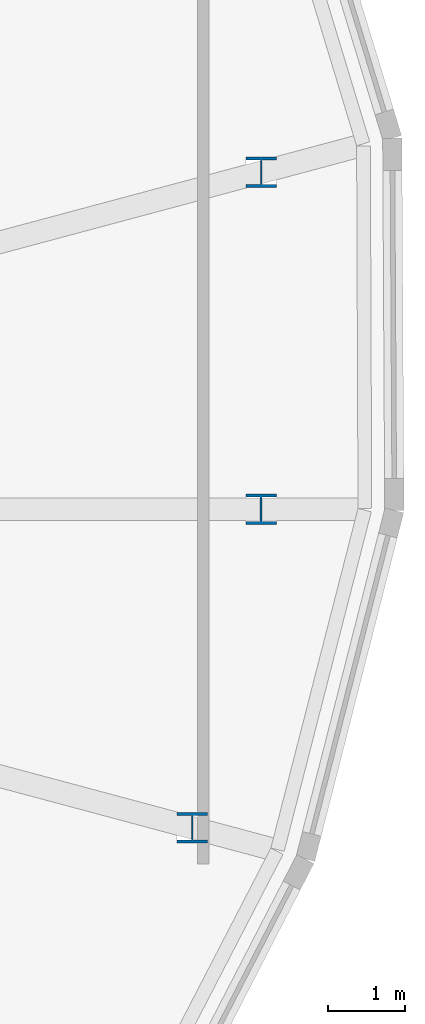
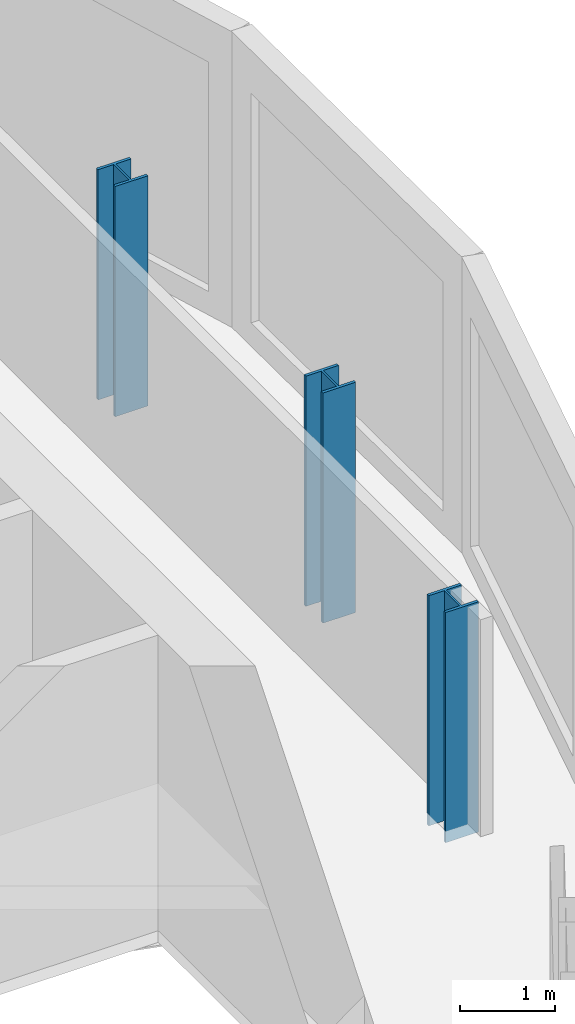
# One storey, part 2 of 38: 3 columns.
"""IFC4 building model written with IfcOpenShell, lengths in metres."""

import ifcopenshell
import ifcopenshell.guid

model = None  # the IFC model being written
_history = None  # IfcOwnerHistory: only IFC2X3 demands one
_inside = {}  # id of a spatial element -> (the spatial element, [elements in it])
_under = {}  # id of a project, library or spatial element -> (it, [spatial elements below it])
_declared = {}  # id of a project -> (the project, [libraries it declares])
_typed = {}  # id of a type object -> (the type object, [elements of that type])
_made_of = {}  # id of a material, layer set ... -> (it, [elements and type objects made of it])


def new_model(schema):
    """Start an empty IFC model of exactly this schema.

    Asked for "IFC4X3", IfcOpenShell would pick the latest addendum, in which some entities
    have other attributes; the version numbers below select the first issue.
    IFC2X3 requires an IfcOwnerHistory on every rooted entity: one is made here for all.
    """
    global model, _history
    if schema == "IFC4X3":
        model = ifcopenshell.file(schema_version=(4, 3, 0, 0))
    else:
        model = ifcopenshell.file(schema=schema)
    _inside.clear()
    _under.clear()
    _declared.clear()
    _typed.clear()
    _made_of.clear()
    _history = None
    if model.schema == "IFC2X3":
        org = make("IfcOrganization", Name="unknown")
        user = make(
            "IfcPersonAndOrganization",
            ThePerson=make("IfcPerson", FamilyName="unknown"),
            TheOrganization=org,
        )
        app = make(
            "IfcApplication",
            ApplicationDeveloper=org,
            Version="unknown",
            ApplicationFullName="unknown",
            ApplicationIdentifier="unknown",
        )
        _history = make(
            "IfcOwnerHistory",
            OwningUser=user,
            OwningApplication=app,
            ChangeAction="ADDED",
            CreationDate=0,
        )
    return model


def make(cls, **values):
    """One entity of the class cls with the attributes given. An attribute that is None is left unset."""
    return model.create_entity(
        cls, **{name: value for name, value in values.items() if value is not None}
    )


def rooted(cls, **values):
    """An entity with a GlobalId (a new one), such as an element, a storey or a relation."""
    return make(cls, GlobalId=ifcopenshell.guid.new(), OwnerHistory=_history, **values)


def si_unit(unit_type, name, prefix=None):
    """IfcSIUnit, for example si_unit("LENGTHUNIT", "METRE", prefix="MILLI")."""
    return make("IfcSIUnit", UnitType=unit_type, Prefix=prefix, Name=name)


def assignment(units):
    """IfcUnitAssignment: the units of a project."""
    return None if units is None else make("IfcUnitAssignment", Units=units)


def point(xyz):
    """IfcCartesianPoint."""
    return None if xyz is None else make("IfcCartesianPoint", Coordinates=xyz)


def direction(xyz):
    """IfcDirection."""
    return None if xyz is None else make("IfcDirection", DirectionRatios=xyz)


def frame(location, z_axis=None, x_axis=None):
    """IfcAxis2Placement3D, a coordinate frame: its origin and axes. An axis left out is left unset."""
    return make(
        "IfcAxis2Placement3D",
        Location=point(location),
        Axis=direction(z_axis),
        RefDirection=direction(x_axis),
    )


def frame_2d(location, x_axis=None):
    """IfcAxis2Placement2D, a coordinate frame in the plane: its origin and x axis."""
    return make(
        "IfcAxis2Placement2D", Location=point(location), RefDirection=direction(x_axis)
    )


def origin():
    """The frame at (0, 0, 0) with its axes left unset."""
    return frame((0.0, 0.0, 0.0))


def origin_2d():
    """The frame at (0, 0) in the plane with its x axis left unset."""
    return frame_2d((0.0, 0.0))


def place(relative_to, where):
    """IfcLocalPlacement: puts the frame where relative to a parent placement (None: the world)."""
    return make(
        "IfcLocalPlacement", PlacementRelTo=relative_to, RelativePlacement=where
    )


def context(
    kind, dimensions, precision=None, world=None, true_north=None, identifier=None
):
    """IfcGeometricRepresentationContext, for example the 3D "Model" context."""
    return make(
        "IfcGeometricRepresentationContext",
        ContextIdentifier=identifier,
        ContextType=kind,
        CoordinateSpaceDimension=dimensions,
        Precision=precision,
        WorldCoordinateSystem=world,
        TrueNorth=true_north,
    )


def subcontext(parent, identifier, kind, view, scale=None):
    """IfcGeometricRepresentationSubContext, for example "Body" below "Model"."""
    return make(
        "IfcGeometricRepresentationSubContext",
        ContextIdentifier=identifier,
        ContextType=kind,
        ParentContext=parent,
        TargetScale=scale,
        TargetView=view,
    )


def project(units=None, contexts=None):
    """IfcProject with its units and contexts."""
    return rooted(
        "IfcProject",
        Name="project",
        RepresentationContexts=contexts,
        UnitsInContext=assignment(units),
    )


def spatial(cls, under=None, at=None, **own):
    """A site, building, storey or space (cls), placed at a placement, below another one or the project."""
    s = rooted(cls, ObjectPlacement=at, **own)
    if under is not None:
        _under.setdefault(under.id(), (under, []))[1].append(s)
    return s


def profile(cls, at=None, kind="AREA", **sizes):
    """A parametric profile (cls). Its sizes go by their IFC names, for example OverallWidth=200.0."""
    return make(cls, ProfileType=kind, Position=at, **sizes)


def i_section(**sizes):
    """IfcIShapeProfileDef."""
    return profile("IfcIShapeProfileDef", **sizes)


def extrude(swept, where, along, depth):
    """IfcExtrudedAreaSolid: the profile swept, set in the frame where, extruded along a direction by depth."""
    return make(
        "IfcExtrudedAreaSolid",
        SweptArea=swept,
        Position=where,
        ExtrudedDirection=direction(along),
        Depth=depth,
    )


def shape(context_of_items, identifier, shape_type, items):
    """IfcShapeRepresentation: the items that make up one representation, for example the "Body"."""
    return make(
        "IfcShapeRepresentation",
        ContextOfItems=context_of_items,
        RepresentationIdentifier=identifier,
        RepresentationType=shape_type,
        Items=items,
    )


def material(Name=None, Category=None):
    """IfcMaterial."""
    return make("IfcMaterial", Name=Name, Category=Category)


def material_profile(
    of_material, cross_section, Name=None, Category=None, Priority=None
):
    """IfcMaterialProfile: a cross section and its material."""
    return make(
        "IfcMaterialProfile",
        Name=Name,
        Material=of_material,
        Profile=cross_section,
        Priority=Priority,
        Category=Category,
    )


def profile_set(profiles, Name=None, composite=None):
    """IfcMaterialProfileSet."""
    return make(
        "IfcMaterialProfileSet",
        Name=Name,
        MaterialProfiles=profiles,
        CompositeProfile=composite,
    )


def made_of(thing, what):
    """Note that an element or type object is made of a material, layer set ...; save() writes the relation."""
    if what is not None:
        _made_of.setdefault(what.id(), (what, []))[1].append(thing)
    return thing


def type_object(cls, material=None, **own):
    """A type object (cls), such as IfcWallType, which elements share."""
    return made_of(rooted(cls, **own), material)


def element(
    cls,
    number,
    at=None,
    inside=None,
    cuts=None,
    type_object=None,
    material=None,
    context=None,
    identifier="Body",
    shape_type=None,
    held_by="IfcProductDefinitionShape",
    body=None,
    shapes=None,
    **own,
):
    """One element of the class cls, such as IfcWall. Its Tag is "e" and its number.

    at: its placement. inside: the storey or other place that contains it. cuts: it is an
    opening in that element (IfcRelVoidsElement). A single representation is given by context,
    identifier, shape_type and body (its items); several are given by shapes. held_by: the class
    of the entity that holds the representations. save() writes the other relations.
    """
    e = rooted(cls, Tag="e%d" % number, ObjectPlacement=at, **own)
    if body is not None:
        shapes = [shape(context, identifier, shape_type, body)]
    if shapes is not None:
        e.Representation = make(held_by, Representations=shapes)
    if inside is not None:
        _inside.setdefault(inside.id(), (inside, []))[1].append(e)
    if cuts is not None:
        rooted(
            "IfcRelVoidsElement", RelatingBuildingElement=cuts, RelatedOpeningElement=e
        )
    if type_object is not None:
        _typed.setdefault(type_object.id(), (type_object, []))[1].append(e)
    return made_of(e, material)


def aggregate(whole, parts):
    """IfcRelAggregates: a whole, such as a stair, and the parts it consists of."""
    return rooted("IfcRelAggregates", RelatingObject=whole, RelatedObjects=parts)


def save(model, path):
    """Write the relations noted so far, then the file.

    IfcRelAggregates (storeys below a building ...), IfcRelContainedInSpatialStructure (elements
    in a storey), IfcRelDefinesByType, IfcRelAssociatesMaterial and IfcRelDeclares: one each for
    every whole, place, type object, material and project.
    """
    for whole, parts in _under.values():
        aggregate(whole, parts)
    for where, things in _inside.values():
        rooted(
            "IfcRelContainedInSpatialStructure",
            RelatedElements=things,
            RelatingStructure=where,
        )
    for kind, things in _typed.values():
        rooted("IfcRelDefinesByType", RelatedObjects=things, RelatingType=kind)
    for what, things in _made_of.values():
        rooted("IfcRelAssociatesMaterial", RelatedObjects=things, RelatingMaterial=what)
    for by, libraries in _declared.values():
        rooted("IfcRelDeclares", RelatingContext=by, RelatedDefinitions=libraries)
    model.write(path)


model = new_model("IFC4")

# Units and contexts
model_context = context("Model", 3, precision=1e-05, world=origin(), true_north=direction((0.0, 1.0)))
body_context = subcontext(model_context, "Body", "Model", "MODEL_VIEW")
ifc_project = project(units=[si_unit("LENGTHUNIT", "METRE"), si_unit("AREAUNIT", "SQUARE_METRE"), si_unit("VOLUMEUNIT", "CUBIC_METRE"), si_unit("PLANEANGLEUNIT", "RADIAN"), si_unit("MASSUNIT", "GRAM", prefix="KILO")], contexts=[model_context])

# Site, building, storey
site_placement = place(None, origin())
site = spatial("IfcSite", under=ifc_project, at=site_placement, CompositionType="ELEMENT")
building_placement = place(site_placement, origin())
building = spatial("IfcBuilding", under=site, at=building_placement, Name="Rimbun Link Towers", CompositionType="ELEMENT")
storey_placement = place(building_placement, frame((0.0, 0.0, 185.5)))
storey = spatial("IfcBuildingStorey", under=building, at=storey_placement, Name="L45", CompositionType="ELEMENT", Elevation=185.5)

# Columns
ifc_material = material(Name="Steel S355J2", Category="steel")
ifc_material_profile = material_profile(ifc_material, i_section(OverallWidth=0.39892578125, OverallDepth=0.3935546875, WebThickness=0.022705078125, FlangeThickness=0.03662109375, at=origin_2d()), Name="UC 356x406x287")
ifc_profile_set = profile_set([ifc_material_profile], Name="Steel S355J2")
column_type = type_object("IfcColumnType", Name="UC 356x406x287", PredefinedType="COLUMN", material=ifc_profile_set)
for number, where, z_axis, x_axis, name in (
    (1, (47.183837890625, -4.135498046875, -0.14990234375), (0.0, 0.0, 1.0), (1.0, 0.0, 0.0), "Crease post T2 L45 20"),
    (2, (48.07861328125, 0.0, -0.14990234375), (0.0, 0.0, 1.0), (1.0, 0.0, 0.0), "Crease post T2 L45 21"),
    (3, (48.078857421875, 4.375244140625, -0.14990234375), (0.0, 0.0, 1.0), (1.0, 0.0, 0.0), "Crease post T2 L45 22"),
):
    element("IfcColumn", number, at=place(storey_placement, frame(where, z_axis=z_axis, x_axis=x_axis)), inside=storey, type_object=column_type, Name=name, PredefinedType="COLUMN", context=body_context, shape_type="SweptSolid", body=[
        extrude(i_section(OverallWidth=0.39892578125, OverallDepth=0.3935546875, WebThickness=0.022705078125, FlangeThickness=0.03662109375, at=origin_2d()), origin(), (0.0, 0.0, 1.0), 2.959228515625),
    ])

save(model, "model.ifc")
